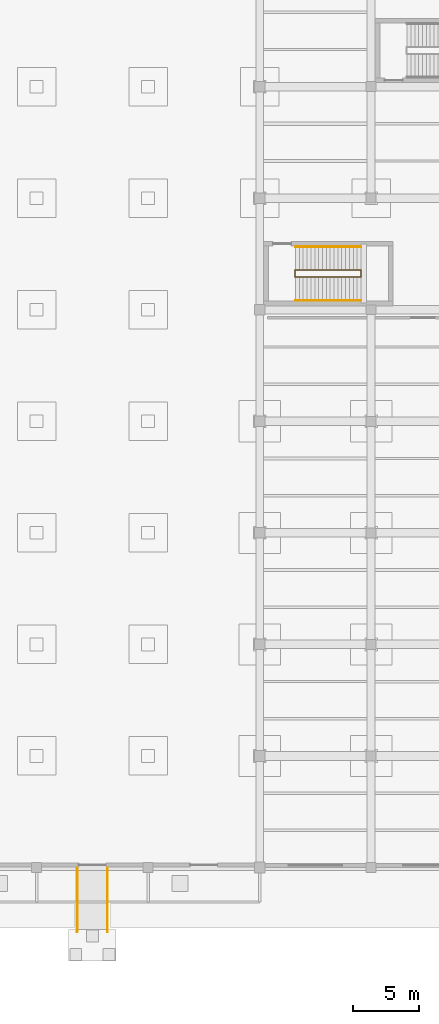
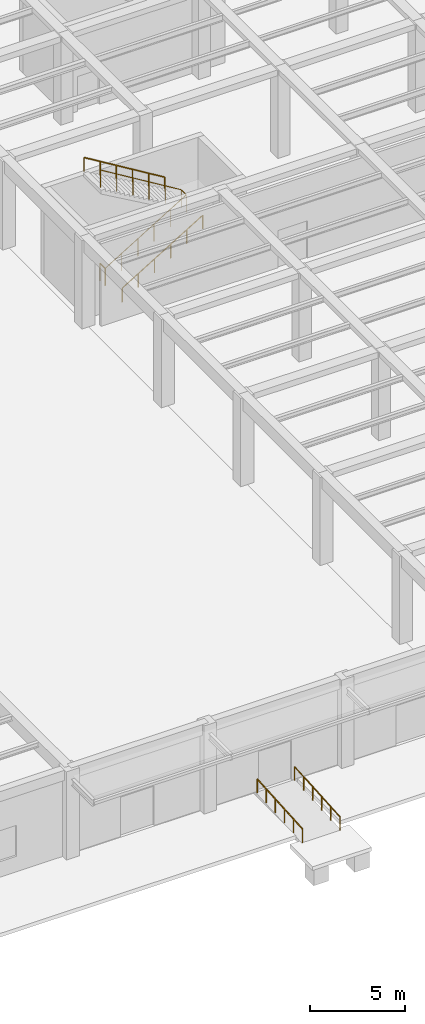
# One storey, part 35 of 43: 6 railings.
"""IFC4 building model written with IfcOpenShell, lengths in metres."""

from ifc_helpers import new_model, si_unit, direction, frame, origin, origin_2d, place, context, subcontext, project, spatial, circle, extrude, material, type_object, element, save


model = new_model("IFC4")

# Units and contexts
model_context = context("Model", 3, precision=1e-05, world=origin(), true_north=direction((0.0, 1.0)))
body_context = subcontext(model_context, "Body", "Model", "MODEL_VIEW")
ifc_project = project(units=[si_unit("LENGTHUNIT", "METRE"), si_unit("AREAUNIT", "SQUARE_METRE"), si_unit("VOLUMEUNIT", "CUBIC_METRE"), si_unit("PLANEANGLEUNIT", "RADIAN"), si_unit("MASSUNIT", "GRAM", prefix="KILO")], contexts=[model_context])

# Site, building, storey
site_placement = place(None, origin())
site = spatial("IfcSite", under=ifc_project, at=site_placement, CompositionType="ELEMENT")
building_placement = place(site_placement, origin())
building = spatial("IfcBuilding", under=site, at=building_placement, Name="Almacenes y Pasaje Nevantli", CompositionType="ELEMENT")
storey_placement = place(building_placement, origin())
storey = spatial("IfcBuildingStorey", under=building, at=storey_placement, Name="L01", CompositionType="ELEMENT", Elevation=0.0)

# Railings
ifc_material_1 = material(Name="Brushed Stainless Steel and Tempered Safety Glass", Category="steel")
railing_type_1 = type_object("IfcRailingType", Name="RL-GUARD-1100", PredefinedType="BALUSTRADE", material=ifc_material_1)
railing_1_placement = place(storey_placement, frame((95.10009765625, 44.4599609375, 0.0)))
element("IfcRailing", 1, at=railing_1_placement, inside=storey, type_object=railing_type_1, Name="L01 Stair ST-08 Inner Well Guard Balustrade", PredefinedType="BALUSTRADE", context=body_context, shape_type="SweptSolid", body=[
    extrude(circle(Radius=0.02392578125, at=origin_2d()), frame((0.025634765625, 0.0, 1.141357421875), z_axis=(0.854262269089, 0.0, 0.519842260316), x_axis=(0.0, 1.0, 0.0)), (0.0, 0.0, 1.0), 5.7109375),
    extrude(circle(Radius=0.02392578125, at=origin_2d()), frame((4.929931640625, 0.030029296875, 4.1259765625), z_axis=(0.0, 1.0, 0.0), x_axis=(-1.0, 0.0, 0.0)), (0.0, 0.0, 1.0), 0.469970703125),
    extrude(circle(Radius=0.02392578125, at=origin_2d()), frame((4.904296875, 0.530029296875, 4.141357421875), z_axis=(-0.854262269089, 0.0, 0.519842260316), x_axis=(0.0, -1.0, 0.0)), (0.0, 0.0, 1.0), 5.7109375),
    extrude(circle(Radius=0.02099609375, at=origin_2d()), origin(), (0.0, 0.0, 1.0), 1.096923828125),
    extrude(circle(Radius=0.02099609375, at=origin_2d()), frame((0.986083984375, 0.0, 0.60009765625)), (0.0, 0.0, 1.0), 1.096923828125),
    extrude(circle(Radius=0.02099609375, at=origin_2d()), frame((1.971923828125, 0.0, 1.199951171875)), (0.0, 0.0, 1.0), 1.096923828125),
    extrude(circle(Radius=0.02099609375, at=origin_2d()), frame((2.9580078125, 0.0, 1.800048828125)), (0.0, 0.0, 1.0), 1.096923828125),
    extrude(circle(Radius=0.02099609375, at=origin_2d()), frame((3.94384765625, 0.0, 2.39990234375)), (0.0, 0.0, 1.0), 1.096923828125),
    extrude(circle(Radius=0.02099609375, at=origin_2d()), frame((4.929931640625, 0.0, 3.0)), (0.0, 0.0, 1.0), 1.096923828125),
    extrude(circle(Radius=0.02099609375, at=origin_2d()), frame((4.929931640625, 0.530029296875, 3.0)), (0.0, 0.0, 1.0), 1.096923828125),
    extrude(circle(Radius=0.02099609375, at=origin_2d()), frame((3.94384765625, 0.530029296875, 3.60009765625)), (0.0, 0.0, 1.0), 1.096923828125),
    extrude(circle(Radius=0.02099609375, at=origin_2d()), frame((2.9580078125, 0.530029296875, 4.199951171875)), (0.0, 0.0, 1.0), 1.096923828125),
    extrude(circle(Radius=0.02099609375, at=origin_2d()), frame((1.971923828125, 0.530029296875, 4.800048828125)), (0.0, 0.0, 1.0), 1.096923828125),
    extrude(circle(Radius=0.02099609375, at=origin_2d()), frame((0.986083984375, 0.530029296875, 5.39990234375)), (0.0, 0.0, 1.0), 1.096923828125),
    extrude(circle(Radius=0.02099609375, at=origin_2d()), frame((0.0, 0.530029296875, 6.0)), (0.0, 0.0, 1.0), 1.096923828125),
])
railing_2_placement = place(storey_placement, frame((95.06005859375, 44.4599609375, 0.0)))
element("IfcRailing", 2, at=railing_2_placement, inside=storey, type_object=railing_type_1, Name="L01 Stair ST-08 Landing Well Slot Guard", PredefinedType="BALUSTRADE", context=body_context, shape_type="SweptSolid", body=[
    extrude(circle(Radius=0.02392578125, at=origin_2d()), frame((0.0, 0.030029296875, 1.1259765625), z_axis=(0.0, 1.0, 0.0), x_axis=(-1.0, 0.0, 0.0)), (0.0, 0.0, 1.0), 0.469970703125),
    extrude(circle(Radius=0.02099609375, at=origin_2d()), origin(), (0.0, 0.0, 1.0), 1.096923828125),
    extrude(circle(Radius=0.02099609375, at=origin_2d()), frame((0.0, 0.530029296875, 0.0)), (0.0, 0.0, 1.0), 1.096923828125),
])
ifc_material_2 = material(Name="Brushed Stainless Steel Tube", Category="steel")
railing_type_2 = type_object("IfcRailingType", Name="RL-HANDRAIL-900", PredefinedType="HANDRAIL", material=ifc_material_2)
railing_3_placement = place(storey_placement, frame((95.10009765625, 42.7099609375, 0.0)))
element("IfcRailing", 3, at=railing_3_placement, inside=storey, type_object=railing_type_2, Name="L01 Stair ST-08 Lower Flight Handrail", PredefinedType="HANDRAIL", context=body_context, shape_type="SweptSolid", body=[
    extrude(circle(Radius=0.02392578125, at=origin_2d()), frame((0.025634765625, 0.0, 0.891357421875), z_axis=(0.854262269089, 0.0, 0.519842260316), x_axis=(0.0, 1.0, 0.0)), (0.0, 0.0, 1.0), 5.7109375),
    extrude(circle(Radius=0.02099609375, at=origin_2d()), origin(), (0.0, 0.0, 1.0), 0.846923828125),
    extrude(circle(Radius=0.02099609375, at=origin_2d()), frame((0.986083984375, 0.0, 0.60009765625)), (0.0, 0.0, 1.0), 0.846923828125),
    extrude(circle(Radius=0.02099609375, at=origin_2d()), frame((1.971923828125, 0.0, 1.199951171875)), (0.0, 0.0, 1.0), 0.846923828125),
    extrude(circle(Radius=0.02099609375, at=origin_2d()), frame((2.9580078125, 0.0, 1.800048828125)), (0.0, 0.0, 1.0), 0.846923828125),
    extrude(circle(Radius=0.02099609375, at=origin_2d()), frame((3.94384765625, 0.0, 2.39990234375)), (0.0, 0.0, 1.0), 0.846923828125),
    extrude(circle(Radius=0.02099609375, at=origin_2d()), frame((4.929931640625, 0.0, 3.0)), (0.0, 0.0, 1.0), 0.846923828125),
])
railing_4_placement = place(storey_placement, frame((100.030029296875, 46.739990234375, 3.0)))
element("IfcRailing", 4, at=railing_4_placement, inside=storey, type_object=railing_type_2, Name="L01 Stair ST-08 Upper Flight Handrail", PredefinedType="HANDRAIL", context=body_context, shape_type="SweptSolid", body=[
    extrude(circle(Radius=0.02392578125, at=origin_2d()), frame((-0.025634765625, 0.0, 0.891357421875), z_axis=(-0.854262269089, 0.0, 0.519842260316), x_axis=(0.0, -1.0, 0.0)), (0.0, 0.0, 1.0), 5.7109375),
    extrude(circle(Radius=0.02099609375, at=origin_2d()), origin(), (0.0, 0.0, 1.0), 0.846923828125),
    extrude(circle(Radius=0.02099609375, at=origin_2d()), frame((-0.986083984375, 0.0, 0.60009765625)), (0.0, 0.0, 1.0), 0.846923828125),
    extrude(circle(Radius=0.02099609375, at=origin_2d()), frame((-1.971923828125, 0.0, 1.199951171875)), (0.0, 0.0, 1.0), 0.846923828125),
    extrude(circle(Radius=0.02099609375, at=origin_2d()), frame((-2.9580078125, 0.0, 1.800048828125)), (0.0, 0.0, 1.0), 0.846923828125),
    extrude(circle(Radius=0.02099609375, at=origin_2d()), frame((-3.94384765625, 0.0, 2.39990234375)), (0.0, 0.0, 1.0), 0.846923828125),
    extrude(circle(Radius=0.02099609375, at=origin_2d()), frame((-4.929931640625, 0.0, 3.0)), (0.0, 0.0, 1.0), 0.846923828125),
])
for number, where, name in (
    (5, (78.659912109375, -4.85009765625, -0.320068359375), "Accessible Entrance Ramp RP-06 West Handrail"),
    (6, (80.93994140625, -4.85009765625, -0.320068359375), "Accessible Entrance Ramp RP-06 East Handrail"),
):
    element("IfcRailing", number, at=place(storey_placement, frame(where)), inside=storey, type_object=railing_type_2, Name=name, PredefinedType="HANDRAIL", context=body_context, shape_type="SweptSolid", body=[
        extrude(circle(Radius=0.02392578125, at=origin_2d()), frame((0.0, 0.030029296875, 0.8779296875), z_axis=(0.0, 0.997784259546, 0.066532483814), x_axis=(-1.0, 0.0, 0.0)), (0.0, 0.0, 1.0), 4.750732421875),
        extrude(circle(Radius=0.02099609375, at=origin_2d()), origin(), (0.0, 0.0, 1.0), 0.846923828125),
        extrude(circle(Radius=0.02099609375, at=origin_2d()), frame((0.0, 0.9599609375, 0.06396484375)), (0.0, 0.0, 1.0), 0.846923828125),
        extrude(circle(Radius=0.02099609375, at=origin_2d()), frame((0.0, 1.919921875, 0.1279296875)), (0.0, 0.0, 1.0), 0.846923828125),
        extrude(circle(Radius=0.02099609375, at=origin_2d()), frame((0.0, 2.880126953125, 0.192138671875)), (0.0, 0.0, 1.0), 0.846923828125),
        extrude(circle(Radius=0.02099609375, at=origin_2d()), frame((0.0, 3.840087890625, 0.256103515625)), (0.0, 0.0, 1.0), 0.846923828125),
        extrude(circle(Radius=0.02099609375, at=origin_2d()), frame((0.0, 4.800048828125, 0.320068359375)), (0.0, 0.0, 1.0), 0.846923828125),
    ])

save(model, "model.ifc")
